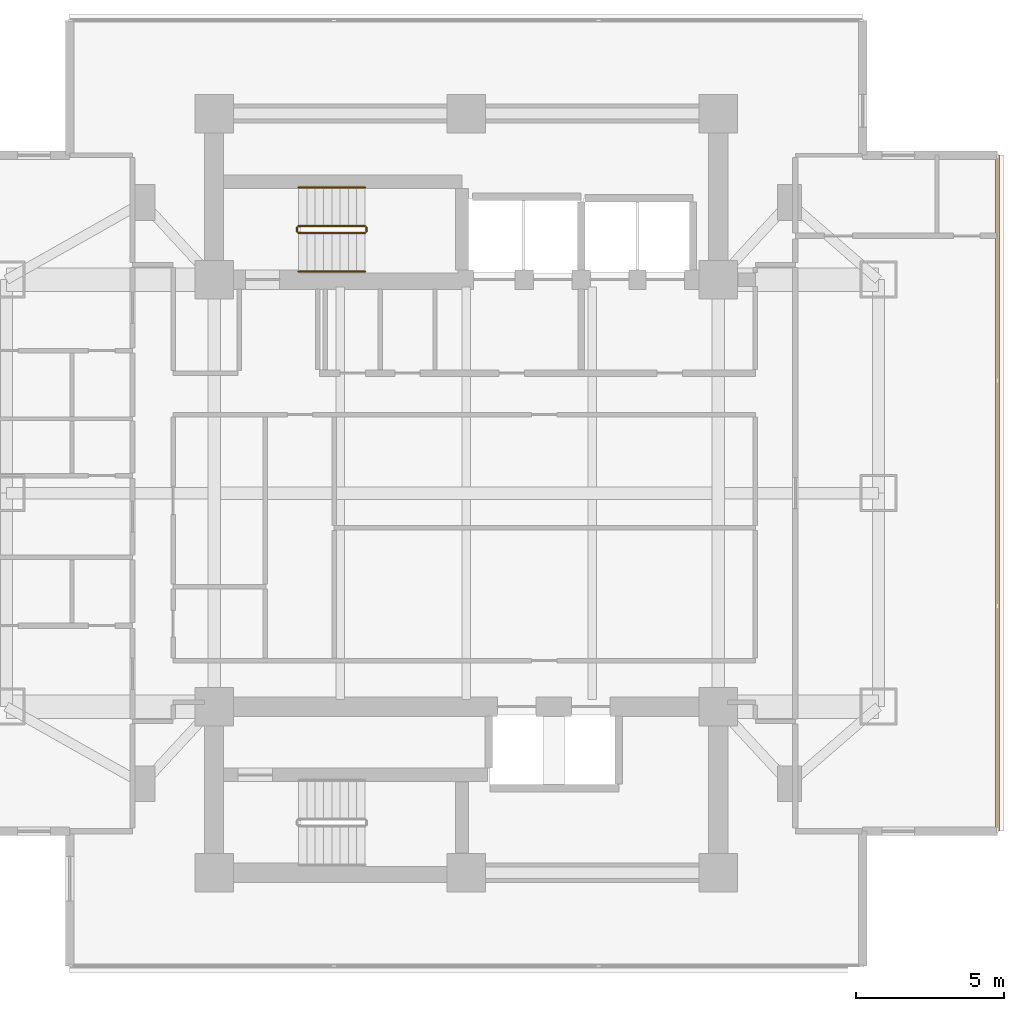
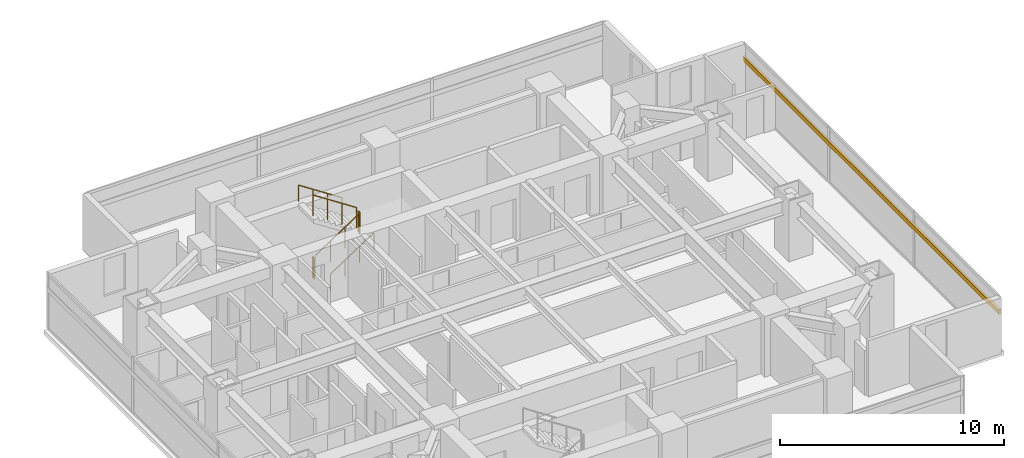
# One storey, part 24 of 25: 6 railings, 1 shading device.
"""IFC4 building model written with IfcOpenShell, lengths in metres."""

from ifc_helpers import new_model, si_unit, direction, frame, origin, origin_2d, place, context, subcontext, project, spatial, rectangle, circle, extrude, material, material_profile, profile_set, type_object, element, save


model = new_model("IFC4")

# Units and contexts
model_context = context("Model", 3, precision=1e-05, world=origin(), true_north=direction((0.0, 1.0)))
body_context = subcontext(model_context, "Body", "Model", "MODEL_VIEW")
ifc_project = project(units=[si_unit("LENGTHUNIT", "METRE"), si_unit("AREAUNIT", "SQUARE_METRE"), si_unit("VOLUMEUNIT", "CUBIC_METRE"), si_unit("PLANEANGLEUNIT", "RADIAN"), si_unit("MASSUNIT", "GRAM", prefix="KILO")], contexts=[model_context])

# Site, building, storey
site_placement = place(None, origin())
site = spatial("IfcSite", under=ifc_project, at=site_placement, CompositionType="ELEMENT")
building_placement = place(site_placement, origin())
building = spatial("IfcBuilding", under=site, at=building_placement, Name="Mirazonda Arch Towers", CompositionType="ELEMENT")
storey_placement = place(building_placement, frame((0.0, 0.0, 58.699951171875)))
storey = spatial("IfcBuildingStorey", under=building, at=storey_placement, Name="L16", CompositionType="ELEMENT", Elevation=58.699951171875)

# Shading device
ifc_material_1 = material(Name="Kiln-Fired Architectural Terracotta", Category="masonry")
ifc_material_profile = material_profile(ifc_material_1, rectangle(XDim=0.1201171875, YDim=0.239990234375, at=origin_2d()), Name="TERRA-BAG-120x240")
ifc_profile_set = profile_set([ifc_material_profile], Name="Kiln-Fired Architectural Terracotta")
shading_device_type = type_object("IfcShadingDeviceType", Name="BAGUETTE-1", PredefinedType="USERDEFINED", material=ifc_profile_set)
shading_device_placement = place(storey_placement, frame((94.416015625, 16.603515625, 2.18896484375), z_axis=(0.0, 1.0, 0.0), x_axis=(-1.0, 0.0, 0.0)))
element("IfcShadingDevice", 1, at=shading_device_placement, inside=storey, type_object=shading_device_type, Name="L16 Glazed Terracotta Sun-Screen Baguette CW-L16-T2-E", ObjectType="BAGUETTE", PredefinedType="USERDEFINED", context=body_context, shape_type="SweptSolid", body=[
    extrude(rectangle(XDim=0.1201171875, YDim=0.239990234375, at=origin_2d()), origin(), (0.0, 0.0, 1.0), 22.79296875),
])

# Railings
ifc_material_2 = material(Name="Architectural Brushed Steel S355", Category="steel")
railing_type_1 = type_object("IfcRailingType", Name="GUARD-STAIR-1120", PredefinedType="GUARDRAIL", material=ifc_material_2)
railing_1_placement = place(storey_placement, frame((70.85009765625, 36.77001953125, 0.183349609375)))
element("IfcRailing", 2, at=railing_1_placement, inside=storey, type_object=railing_type_1, Name="L16 ST-T2N stair guard 1", PredefinedType="GUARDRAIL", context=body_context, shape_type="SweptSolid", body=[
    extrude(circle(Radius=0.02392578125, at=origin_2d()), frame((0.0, 0.0, 1.1259765625), z_axis=(0.836595146698, 0.0, 0.547821650285), x_axis=(0.0, 1.0, 0.0)), (0.0, 0.0, 1.0), 2.677490234375),
    extrude(circle(Radius=0.02099609375, at=origin_2d()), origin(), (0.0, 0.0, 1.0), 1.101806640625),
    extrude(circle(Radius=0.02099609375, at=origin_2d()), frame((0.74658203125, 0.0, 0.489013671875)), (0.0, 0.0, 1.0), 1.101806640625),
    extrude(circle(Radius=0.02099609375, at=origin_2d()), frame((1.493408203125, 0.0, 0.977783203125)), (0.0, 0.0, 1.0), 1.101806640625),
    extrude(circle(Radius=0.02099609375, at=origin_2d()), frame((2.239990234375, 0.0, 1.466796875)), (0.0, 0.0, 1.0), 1.101806640625),
])
railing_2_placement = place(storey_placement, frame((73.139892578125, 36.820068359375, 1.650146484375)))
element("IfcRailing", 3, at=railing_2_placement, inside=storey, type_object=railing_type_1, Name="L16 ST-T2N stair guard 2", PredefinedType="GUARDRAIL", context=body_context, shape_type="SweptSolid", body=[
    extrude(circle(Radius=0.02392578125, at=origin_2d()), frame((0.0, 0.0, 1.1259765625), z_axis=(0.0, 1.0, 0.0), x_axis=(-1.0, 0.0, 0.0)), (0.0, 0.0, 1.0), 0.139892578125),
    extrude(circle(Radius=0.02099609375, at=origin_2d()), origin(), (0.0, 0.0, 1.0), 1.101806640625),
    extrude(circle(Radius=0.02099609375, at=origin_2d()), frame((0.0, 0.139892578125, 0.0)), (0.0, 0.0, 1.0), 1.101806640625),
])
railing_3_placement = place(storey_placement, frame((73.090087890625, 37.010009765625, 1.83349609375)))
element("IfcRailing", 4, at=railing_3_placement, inside=storey, type_object=railing_type_1, Name="L16 ST-T2N stair guard 3", PredefinedType="GUARDRAIL", context=body_context, shape_type="SweptSolid", body=[
    extrude(circle(Radius=0.02392578125, at=origin_2d()), frame((0.0, 0.0, 1.1259765625), z_axis=(-0.836636935527, 0.0, 0.547757827979), x_axis=(0.0, -1.0, 0.0)), (0.0, 0.0, 1.0), 2.677490234375),
    extrude(circle(Radius=0.02099609375, at=origin_2d()), origin(), (0.0, 0.0, 1.0), 1.101806640625),
    extrude(circle(Radius=0.02099609375, at=origin_2d()), frame((-0.74658203125, 0.0, 0.48876953125)), (0.0, 0.0, 1.0), 1.101806640625),
    extrude(circle(Radius=0.02099609375, at=origin_2d()), frame((-1.493408203125, 0.0, 0.977783203125)), (0.0, 0.0, 1.0), 1.101806640625),
    extrude(circle(Radius=0.02099609375, at=origin_2d()), frame((-2.239990234375, 0.0, 1.466552734375)), (0.0, 0.0, 1.0), 1.101806640625),
])
railing_4_placement = place(storey_placement, frame((70.800048828125, 36.820068359375, 0.0)))
element("IfcRailing", 5, at=railing_4_placement, inside=storey, type_object=railing_type_1, Name="L16 ST-T2N stair guard 4", PredefinedType="GUARDRAIL", context=body_context, shape_type="SweptSolid", body=[
    extrude(circle(Radius=0.02392578125, at=origin_2d()), frame((0.0, 0.0, 1.1259765625), z_axis=(0.0, 1.0, 0.0), x_axis=(-1.0, 0.0, 0.0)), (0.0, 0.0, 1.0), 0.139892578125),
    extrude(circle(Radius=0.02099609375, at=origin_2d()), origin(), (0.0, 0.0, 1.0), 1.101806640625),
    extrude(circle(Radius=0.02099609375, at=origin_2d()), frame((0.0, 0.139892578125, 0.0)), (0.0, 0.0, 1.0), 1.101806640625),
])
railing_type_2 = type_object("IfcRailingType", Name="HANDRAIL-915", PredefinedType="HANDRAIL", material=ifc_material_2)
railing_5_placement = place(storey_placement, frame((70.85009765625, 35.469970703125, 0.183349609375)))
element("IfcRailing", 6, at=railing_5_placement, inside=storey, type_object=railing_type_2, Name="L16 ST-T2N stair handrail 1", PredefinedType="HANDRAIL", context=body_context, shape_type="SweptSolid", body=[
    extrude(circle(Radius=0.02392578125, at=origin_2d()), frame((0.0, 0.0, 0.8759765625), z_axis=(0.836595146698, 0.0, 0.547821650285), x_axis=(0.0, 1.0, 0.0)), (0.0, 0.0, 1.0), 2.677490234375),
    extrude(circle(Radius=0.02099609375, at=origin_2d()), origin(), (0.0, 0.0, 1.0), 0.851806640625),
    extrude(circle(Radius=0.02099609375, at=origin_2d()), frame((0.74658203125, 0.0, 0.489013671875)), (0.0, 0.0, 1.0), 0.851806640625),
    extrude(circle(Radius=0.02099609375, at=origin_2d()), frame((1.493408203125, 0.0, 0.977783203125)), (0.0, 0.0, 1.0), 0.851806640625),
    extrude(circle(Radius=0.02099609375, at=origin_2d()), frame((2.239990234375, 0.0, 1.466796875)), (0.0, 0.0, 1.0), 0.851806640625),
])
railing_6_placement = place(storey_placement, frame((73.090087890625, 38.31005859375, 1.83349609375)))
element("IfcRailing", 7, at=railing_6_placement, inside=storey, type_object=railing_type_2, Name="L16 ST-T2N stair handrail 2", PredefinedType="HANDRAIL", context=body_context, shape_type="SweptSolid", body=[
    extrude(circle(Radius=0.02392578125, at=origin_2d()), frame((0.0, 0.0, 0.8759765625), z_axis=(-0.836636935527, 0.0, 0.547757827979), x_axis=(0.0, -1.0, 0.0)), (0.0, 0.0, 1.0), 2.677490234375),
    extrude(circle(Radius=0.02099609375, at=origin_2d()), origin(), (0.0, 0.0, 1.0), 0.851806640625),
    extrude(circle(Radius=0.02099609375, at=origin_2d()), frame((-0.74658203125, 0.0, 0.48876953125)), (0.0, 0.0, 1.0), 0.851806640625),
    extrude(circle(Radius=0.02099609375, at=origin_2d()), frame((-1.493408203125, 0.0, 0.977783203125)), (0.0, 0.0, 1.0), 0.851806640625),
    extrude(circle(Radius=0.02099609375, at=origin_2d()), frame((-2.239990234375, 0.0, 1.466552734375)), (0.0, 0.0, 1.0), 0.851806640625),
])

save(model, "model.ifc")
